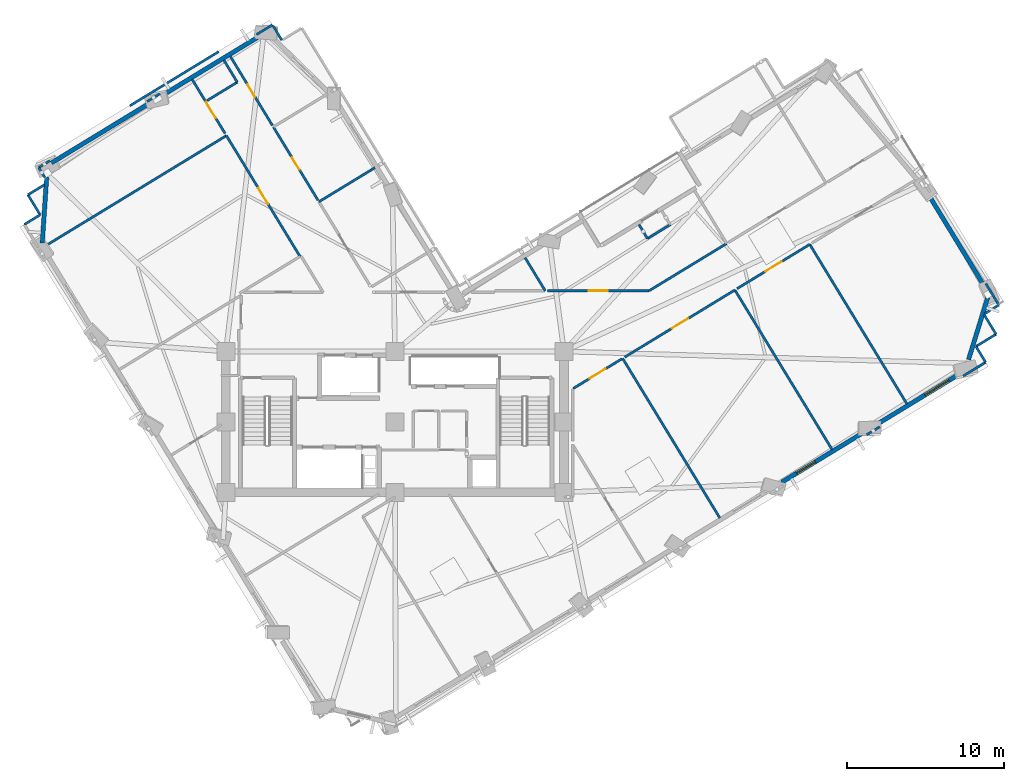
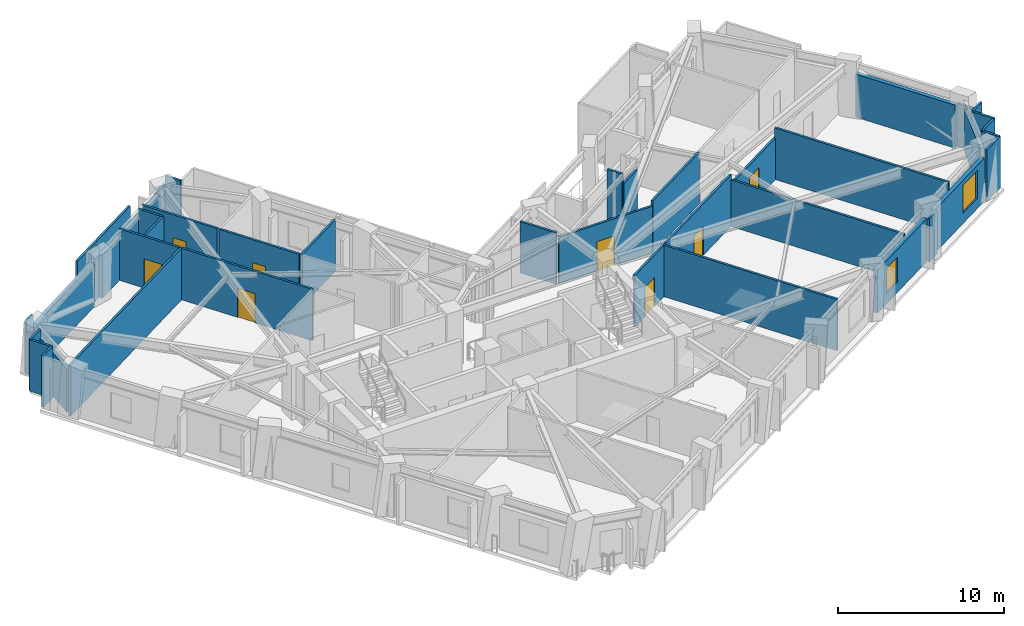
# One storey, part 7 of 14: 42 walls, 8 doors, 2 windows, 10 openings.
"""IFC4 building model written with IfcOpenShell, lengths in metres."""

import ifcopenshell
import ifcopenshell.guid

model = None  # the IFC model being written
_history = None  # IfcOwnerHistory: only IFC2X3 demands one
_inside = {}  # id of a spatial element -> (the spatial element, [elements in it])
_under = {}  # id of a project, library or spatial element -> (it, [spatial elements below it])
_declared = {}  # id of a project -> (the project, [libraries it declares])
_typed = {}  # id of a type object -> (the type object, [elements of that type])
_made_of = {}  # id of a material, layer set ... -> (it, [elements and type objects made of it])


def new_model(schema):
    """Start an empty IFC model of exactly this schema.

    Asked for "IFC4X3", IfcOpenShell would pick the latest addendum, in which some entities
    have other attributes; the version numbers below select the first issue.
    IFC2X3 requires an IfcOwnerHistory on every rooted entity: one is made here for all.
    """
    global model, _history
    if schema == "IFC4X3":
        model = ifcopenshell.file(schema_version=(4, 3, 0, 0))
    else:
        model = ifcopenshell.file(schema=schema)
    _inside.clear()
    _under.clear()
    _declared.clear()
    _typed.clear()
    _made_of.clear()
    _history = None
    if model.schema == "IFC2X3":
        org = make("IfcOrganization", Name="unknown")
        user = make(
            "IfcPersonAndOrganization",
            ThePerson=make("IfcPerson", FamilyName="unknown"),
            TheOrganization=org,
        )
        app = make(
            "IfcApplication",
            ApplicationDeveloper=org,
            Version="unknown",
            ApplicationFullName="unknown",
            ApplicationIdentifier="unknown",
        )
        _history = make(
            "IfcOwnerHistory",
            OwningUser=user,
            OwningApplication=app,
            ChangeAction="ADDED",
            CreationDate=0,
        )
    return model


def make(cls, **values):
    """One entity of the class cls with the attributes given. An attribute that is None is left unset."""
    return model.create_entity(
        cls, **{name: value for name, value in values.items() if value is not None}
    )


def rooted(cls, **values):
    """An entity with a GlobalId (a new one), such as an element, a storey or a relation."""
    return make(cls, GlobalId=ifcopenshell.guid.new(), OwnerHistory=_history, **values)


def si_unit(unit_type, name, prefix=None):
    """IfcSIUnit, for example si_unit("LENGTHUNIT", "METRE", prefix="MILLI")."""
    return make("IfcSIUnit", UnitType=unit_type, Prefix=prefix, Name=name)


def assignment(units):
    """IfcUnitAssignment: the units of a project."""
    return None if units is None else make("IfcUnitAssignment", Units=units)


def point(xyz):
    """IfcCartesianPoint."""
    return None if xyz is None else make("IfcCartesianPoint", Coordinates=xyz)


def direction(xyz):
    """IfcDirection."""
    return None if xyz is None else make("IfcDirection", DirectionRatios=xyz)


def frame(location, z_axis=None, x_axis=None):
    """IfcAxis2Placement3D, a coordinate frame: its origin and axes. An axis left out is left unset."""
    return make(
        "IfcAxis2Placement3D",
        Location=point(location),
        Axis=direction(z_axis),
        RefDirection=direction(x_axis),
    )


def frame_2d(location, x_axis=None):
    """IfcAxis2Placement2D, a coordinate frame in the plane: its origin and x axis."""
    return make(
        "IfcAxis2Placement2D", Location=point(location), RefDirection=direction(x_axis)
    )


def origin():
    """The frame at (0, 0, 0) with its axes left unset."""
    return frame((0.0, 0.0, 0.0))


def place(relative_to, where):
    """IfcLocalPlacement: puts the frame where relative to a parent placement (None: the world)."""
    return make(
        "IfcLocalPlacement", PlacementRelTo=relative_to, RelativePlacement=where
    )


def context(
    kind, dimensions, precision=None, world=None, true_north=None, identifier=None
):
    """IfcGeometricRepresentationContext, for example the 3D "Model" context."""
    return make(
        "IfcGeometricRepresentationContext",
        ContextIdentifier=identifier,
        ContextType=kind,
        CoordinateSpaceDimension=dimensions,
        Precision=precision,
        WorldCoordinateSystem=world,
        TrueNorth=true_north,
    )


def subcontext(parent, identifier, kind, view, scale=None):
    """IfcGeometricRepresentationSubContext, for example "Body" below "Model"."""
    return make(
        "IfcGeometricRepresentationSubContext",
        ContextIdentifier=identifier,
        ContextType=kind,
        ParentContext=parent,
        TargetScale=scale,
        TargetView=view,
    )


def project(units=None, contexts=None):
    """IfcProject with its units and contexts."""
    return rooted(
        "IfcProject",
        Name="project",
        RepresentationContexts=contexts,
        UnitsInContext=assignment(units),
    )


def spatial(cls, under=None, at=None, **own):
    """A site, building, storey or space (cls), placed at a placement, below another one or the project."""
    s = rooted(cls, ObjectPlacement=at, **own)
    if under is not None:
        _under.setdefault(under.id(), (under, []))[1].append(s)
    return s


def profile(cls, at=None, kind="AREA", **sizes):
    """A parametric profile (cls). Its sizes go by their IFC names, for example OverallWidth=200.0."""
    return make(cls, ProfileType=kind, Position=at, **sizes)


def rectangle(**sizes):
    """IfcRectangleProfileDef."""
    return profile("IfcRectangleProfileDef", **sizes)


def extrude(swept, where, along, depth):
    """IfcExtrudedAreaSolid: the profile swept, set in the frame where, extruded along a direction by depth."""
    return make(
        "IfcExtrudedAreaSolid",
        SweptArea=swept,
        Position=where,
        ExtrudedDirection=direction(along),
        Depth=depth,
    )


def shape(context_of_items, identifier, shape_type, items):
    """IfcShapeRepresentation: the items that make up one representation, for example the "Body"."""
    return make(
        "IfcShapeRepresentation",
        ContextOfItems=context_of_items,
        RepresentationIdentifier=identifier,
        RepresentationType=shape_type,
        Items=items,
    )


def material(Name=None, Category=None):
    """IfcMaterial."""
    return make("IfcMaterial", Name=Name, Category=Category)


def layer(
    of_material, thickness, ventilated=None, Name=None, Category=None, Priority=None
):
    """IfcMaterialLayer: one layer of a wall or slab, of a material (None: an air gap)."""
    return make(
        "IfcMaterialLayer",
        Material=of_material,
        LayerThickness=thickness,
        IsVentilated=ventilated,
        Name=Name,
        Category=Category,
        Priority=Priority,
    )


def layer_set(layers, Name=None):
    """IfcMaterialLayerSet."""
    return make("IfcMaterialLayerSet", MaterialLayers=layers, LayerSetName=Name)


def made_of(thing, what):
    """Note that an element or type object is made of a material, layer set ...; save() writes the relation."""
    if what is not None:
        _made_of.setdefault(what.id(), (what, []))[1].append(thing)
    return thing


def type_object(cls, material=None, **own):
    """A type object (cls), such as IfcWallType, which elements share."""
    return made_of(rooted(cls, **own), material)


def element(
    cls,
    number,
    at=None,
    inside=None,
    cuts=None,
    type_object=None,
    material=None,
    context=None,
    identifier="Body",
    shape_type=None,
    held_by="IfcProductDefinitionShape",
    body=None,
    shapes=None,
    **own,
):
    """One element of the class cls, such as IfcWall. Its Tag is "e" and its number.

    at: its placement. inside: the storey or other place that contains it. cuts: it is an
    opening in that element (IfcRelVoidsElement). A single representation is given by context,
    identifier, shape_type and body (its items); several are given by shapes. held_by: the class
    of the entity that holds the representations. save() writes the other relations.
    """
    e = rooted(cls, Tag="e%d" % number, ObjectPlacement=at, **own)
    if body is not None:
        shapes = [shape(context, identifier, shape_type, body)]
    if shapes is not None:
        e.Representation = make(held_by, Representations=shapes)
    if inside is not None:
        _inside.setdefault(inside.id(), (inside, []))[1].append(e)
    if cuts is not None:
        rooted(
            "IfcRelVoidsElement", RelatingBuildingElement=cuts, RelatedOpeningElement=e
        )
    if type_object is not None:
        _typed.setdefault(type_object.id(), (type_object, []))[1].append(e)
    return made_of(e, material)


def fill(opening, filler):
    """IfcRelFillsElement: the door or window that sits in an opening."""
    return rooted(
        "IfcRelFillsElement",
        RelatingOpeningElement=opening,
        RelatedBuildingElement=filler,
    )


def aggregate(whole, parts):
    """IfcRelAggregates: a whole, such as a stair, and the parts it consists of."""
    return rooted("IfcRelAggregates", RelatingObject=whole, RelatedObjects=parts)


def save(model, path):
    """Write the relations noted so far, then the file.

    IfcRelAggregates (storeys below a building ...), IfcRelContainedInSpatialStructure (elements
    in a storey), IfcRelDefinesByType, IfcRelAssociatesMaterial and IfcRelDeclares: one each for
    every whole, place, type object, material and project.
    """
    for whole, parts in _under.values():
        aggregate(whole, parts)
    for where, things in _inside.values():
        rooted(
            "IfcRelContainedInSpatialStructure",
            RelatedElements=things,
            RelatingStructure=where,
        )
    for kind, things in _typed.values():
        rooted("IfcRelDefinesByType", RelatedObjects=things, RelatingType=kind)
    for what, things in _made_of.values():
        rooted("IfcRelAssociatesMaterial", RelatedObjects=things, RelatingMaterial=what)
    for by, libraries in _declared.values():
        rooted("IfcRelDeclares", RelatingContext=by, RelatedDefinitions=libraries)
    model.write(path)


model = new_model("IFC4")

# Units and contexts
model_context = context("Model", 3, precision=1e-05, world=origin(), true_north=direction((0.0, 1.0)))
body_context = subcontext(model_context, "Body", "Model", "MODEL_VIEW")
ifc_project = project(units=[si_unit("LENGTHUNIT", "METRE"), si_unit("AREAUNIT", "SQUARE_METRE"), si_unit("VOLUMEUNIT", "CUBIC_METRE"), si_unit("PLANEANGLEUNIT", "RADIAN"), si_unit("MASSUNIT", "GRAM", prefix="KILO")], contexts=[model_context])

# Site, building, storey
site_placement = place(None, origin())
site = spatial("IfcSite", under=ifc_project, at=site_placement, CompositionType="ELEMENT")
building_placement = place(site_placement, origin())
building = spatial("IfcBuilding", under=site, at=building_placement, Name="Gaonmaruhae Medical Tower", CompositionType="ELEMENT")
storey_placement = place(building_placement, frame((0.0, 0.0, 157.800048828125)))
storey = spatial("IfcBuildingStorey", under=building, at=storey_placement, Name="L37", CompositionType="ELEMENT", Elevation=157.800048828125)

# Wall, opening, window
ifc_material_1 = material(Name="Precast concrete C45/55", Category="concrete")
ifc_layer_1 = layer(ifc_material_1, 0.280029296875)
ifc_layer_set_1 = layer_set([ifc_layer_1], Name="Precast concrete C45/55")
wall_type_1 = type_object("IfcWallType", Name="EW-280 Upper Precast Masonry-Frame Facade Wall", PredefinedType="SOLIDWALL", material=ifc_layer_set_1)
wall_1_placement = place(storey_placement, frame((54.82373046875, 11.67578125, 0.0), z_axis=(0.0, 0.0, 1.0), x_axis=(-0.854030198101, -0.52022343347, 0.0)))
wall_1 = element("IfcWall", 1, at=wall_1_placement, inside=storey, type_object=wall_type_1, Name="L37 Precast Masonry-Frame Wall S05-S06", PredefinedType="SOLIDWALL", context=body_context, shape_type="SweptSolid", body=[
    extrude(rectangle(XDim=6.21826171875, YDim=0.280029296875, at=frame_2d((3.109130859375, 0.0))), origin(), (0.0, 0.0, 1.0), 3.1650390625),
])
opening_1_placement = place(wall_1_placement, frame((3.704833984375, 0.0, 0.75)))
opening_1 = element("IfcOpeningElement", 2, at=opening_1_placement, cuts=wall_1, Name="Opening WN-03", PredefinedType="OPENING", context=body_context, shape_type="SweptSolid", body=[
    extrude(rectangle(XDim=1.39990234375, YDim=1.85009765625, at=frame_2d((0.699951171875, 0.925048828125))), frame((0.0, 0.14990234375, 0.0), z_axis=(0.0, -1.0, 0.0), x_axis=(1.0, 0.0, 0.0)), (0.0, 0.0, 1.0), 0.300048828125),
])
ifc_material_2 = material(Name="Anodised aluminium and Low-E double glazing", Category="aluminium")
window_type_1 = type_object("IfcWindowType", Name="WN-03 Isolation Ward Punched Window 1400x1850", PartitioningType="SINGLE_PANEL", PredefinedType="WINDOW", material=ifc_material_2)
window_1_placement = place(opening_1_placement, origin())
window_1 = element("IfcWindow", 3, at=window_1_placement, inside=storey, type_object=window_type_1, Name="L37 Modular Facade Window S05", OverallHeight=1.85009765625, OverallWidth=1.39990234375, PartitioningType="SINGLE_PANEL", PredefinedType="WINDOW", context=body_context, shape_type="SweptSolid", body=[
    extrude(rectangle(XDim=1.39990234375, YDim=1.85009765625, at=frame_2d((0.699951171875, 0.925048828125))), frame((0.0, 0.030029296875, 0.0), z_axis=(0.0, -1.0, 0.0), x_axis=(1.0, 0.0, 0.0)), (0.0, 0.0, 1.0), 0.06005859375),
])
fill(opening_1, window_1)

wall_2_placement = place(storey_placement, frame((60.985595703125, 15.4296875, 0.0), z_axis=(0.0, 0.0, 1.0), x_axis=(-0.854005149622, -0.520264552337, 0.0)))
wall_2 = element("IfcWall", 4, at=wall_2_placement, inside=storey, type_object=wall_type_1, Name="L37 Precast Masonry-Frame Wall S06-S07", PredefinedType="SOLIDWALL", context=body_context, shape_type="SweptSolid", body=[
    extrude(rectangle(XDim=6.2421875, YDim=0.280029296875, at=frame_2d((3.12109375, 0.0))), origin(), (0.0, 0.0, 1.0), 3.1650390625),
])
opening_2_placement = place(wall_2_placement, frame((0.920166015625, 0.0, 0.75)))
opening_2 = element("IfcOpeningElement", 5, at=opening_2_placement, cuts=wall_2, Name="Opening WN-04", PredefinedType="OPENING", context=body_context, shape_type="SweptSolid", body=[
    extrude(rectangle(XDim=1.800048828125, YDim=2.050048828125, at=frame_2d((0.89990234375, 1.02490234375))), frame((0.0, 0.14990234375, 0.0), z_axis=(0.0, -1.0, 0.0), x_axis=(1.0, 0.0, 0.0)), (0.0, 0.0, 1.0), 0.300048828125),
])
window_type_2 = type_object("IfcWindowType", Name="WN-04 Clinic & Consult Punched Window 1800x2050", PartitioningType="SINGLE_PANEL", PredefinedType="WINDOW", material=ifc_material_2)
window_2_placement = place(opening_2_placement, origin())
window_2 = element("IfcWindow", 6, at=window_2_placement, inside=storey, type_object=window_type_2, Name="L37 Modular Facade Window S06", OverallHeight=2.050048828125, OverallWidth=1.800048828125, PartitioningType="SINGLE_PANEL", PredefinedType="WINDOW", context=body_context, shape_type="SweptSolid", body=[
    extrude(rectangle(XDim=1.800048828125, YDim=2.050048828125, at=frame_2d((0.89990234375, 1.02490234375))), frame((0.0, 0.030029296875, 0.0), z_axis=(0.0, -1.0, 0.0), x_axis=(1.0, 0.0, 0.0)), (0.0, 0.0, 1.0), 0.06005859375),
])
fill(opening_2, window_2)

# Walls
wall_3_placement = place(storey_placement, frame((62.67529296875, 20.243896484375, 0.0), z_axis=(0.0, 0.0, 1.0), x_axis=(-0.295765624061, -0.955260538086, 0.0)))
element("IfcWall", 7, at=wall_3_placement, inside=storey, type_object=wall_type_1, Name="L37 Precast Masonry-Frame Wall S07-E01", PredefinedType="SOLIDWALL", context=body_context, shape_type="SweptSolid", body=[
    extrude(rectangle(XDim=4.1455078125, YDim=0.280029296875, at=frame_2d((2.07275390625, 0.0))), origin(), (0.0, 0.0, 1.0), 3.1650390625),
])
wall_4_placement = place(storey_placement, frame((58.847900390625, 26.8916015625, 0.0), z_axis=(0.0, 0.0, 1.0), x_axis=(0.520252637588, -0.854012408038, 0.0)))
element("IfcWall", 8, at=wall_4_placement, inside=storey, type_object=wall_type_1, Name="L37 Precast Masonry-Frame Wall E01-E02", PredefinedType="SOLIDWALL", context=body_context, shape_type="SweptSolid", body=[
    extrude(rectangle(XDim=6.840087890625, YDim=0.280029296875, at=frame_2d((3.419921875, 0.0))), origin(), (0.0, 0.0, 1.0), 3.1650390625),
])
wall_5_placement = place(storey_placement, frame((9.8740234375, 33.12109375, 0.0), z_axis=(0.0, 0.0, 1.0), x_axis=(0.854014635071, 0.52024898182, 0.0)))
element("IfcWall", 9, at=wall_5_placement, inside=storey, type_object=wall_type_1, Name="L37 Precast Masonry-Frame Wall N01-N02", PredefinedType="SOLIDWALL", context=body_context, shape_type="SweptSolid", body=[
    extrude(rectangle(XDim=7.230712890625, YDim=0.280029296875, at=frame_2d((3.615234375, 0.0))), origin(), (0.0, 0.0, 1.0), 3.1650390625),
])
wall_6_placement = place(storey_placement, frame((2.8505859375, 28.84228515625, 0.0), z_axis=(0.0, 0.0, 1.0), x_axis=(0.854006543664, 0.520262264036, 0.0)))
element("IfcWall", 10, at=wall_6_placement, inside=storey, type_object=wall_type_1, Name="L37 Precast Masonry-Frame Wall N02-N03", PredefinedType="SOLIDWALL", context=body_context, shape_type="SweptSolid", body=[
    extrude(rectangle(XDim=7.269775390625, YDim=0.280029296875, at=frame_2d((3.634765625, 0.0))), origin(), (0.0, 0.0, 1.0), 3.1650390625),
])
wall_7_placement = place(storey_placement, frame((2.265380859375, 23.736083984375, 0.0), z_axis=(0.0, 0.0, 1.0), x_axis=(0.067492637581, 0.997719772217, 0.0)))
element("IfcWall", 11, at=wall_7_placement, inside=storey, type_object=wall_type_1, Name="L37 Precast Masonry-Frame Wall N03-W01", PredefinedType="SOLIDWALL", context=body_context, shape_type="SweptSolid", body=[
    extrude(rectangle(XDim=4.21044921875, YDim=0.280029296875, at=frame_2d((2.105224609375, 0.0))), origin(), (0.0, 0.0, 1.0), 3.1650390625),
])
ifc_material_3 = material(Name="Gypsum board partition", Category="gypsum")
ifc_layer_2 = layer(ifc_material_3, 0.14990234375)
ifc_layer_set_2 = layer_set([ifc_layer_2], Name="Gypsum board partition")
wall_type_2 = type_object("IfcWallType", Name="PW-150 Rated Clinical Corridor Partition", PredefinedType="PARTITIONING", material=ifc_layer_set_2)
wall_8_placement = place(storey_placement, frame((39.346923828125, 16.35693359375, 0.0), z_axis=(0.0, 0.0, 1.0), x_axis=(0.520229856241, -0.854026285705, 0.0)))
element("IfcWall", 12, at=wall_8_placement, inside=storey, type_object=wall_type_2, Name="L37 Interior Partition L37-SUP04-16", PredefinedType="PARTITIONING", context=body_context, shape_type="SweptSolid", body=[
    extrude(rectangle(XDim=11.93505859375, YDim=0.14990234375, at=frame_2d((5.967529296875, 0.0))), origin(), (0.0, 0.0, 1.0), 3.780029296875),
])

# Wall, opening, door
wall_9_placement = place(storey_placement, frame((36.193115234375, 14.43603515625, 0.0), z_axis=(0.0, 0.0, 1.0), x_axis=(0.854019897794, 0.520240342699, 0.0)))
wall_9 = element("IfcWall", 13, at=wall_9_placement, inside=storey, type_object=wall_type_2, Name="L37 Interior Partition L37-SUP04-19", PredefinedType="PARTITIONING", context=body_context, shape_type="SweptSolid", body=[
    extrude(rectangle(XDim=3.642578125, YDim=0.14990234375, at=frame_2d((1.8212890625, 0.0))), origin(), (0.0, 0.0, 1.0), 3.780029296875),
])
opening_3_placement = place(wall_9_placement, frame((1.221435546875, 0.0, 0.0)))
opening_3 = element("IfcOpeningElement", 14, at=opening_3_placement, cuts=wall_9, Name="Opening CD-02", PredefinedType="OPENING", context=body_context, shape_type="SweptSolid", body=[
    extrude(rectangle(XDim=1.199951171875, YDim=2.14990234375, at=frame_2d((0.60009765625, 1.074951171875))), frame((0.0, 0.0849609375, 0.0), z_axis=(0.0, -1.0, 0.0), x_axis=(1.0, 0.0, 0.0)), (0.0, 0.0, 1.0), 0.169921875),
])
ifc_material_4 = material(Name="Antimicrobial laminate timber fire door", Category="wood")
door_type_1 = type_object("IfcDoorType", Name="CD-02 Clinical Treatment & Procedure Door 1200x2150", OperationType="NOTDEFINED", PredefinedType="DOOR", material=ifc_material_4)
door_1_placement = place(opening_3_placement, origin())
door_1 = element("IfcDoor", 15, at=door_1_placement, inside=storey, type_object=door_type_1, Name="L37 Clinical Biomedical Charting Office Door", OperationType="SINGLE_SWING_LEFT", OverallHeight=2.14990234375, OverallWidth=1.199951171875, PredefinedType="DOOR", context=body_context, shape_type="SweptSolid", body=[
    extrude(rectangle(XDim=1.199951171875, YDim=2.14990234375, at=frame_2d((0.60009765625, 1.074951171875))), frame((0.0, 0.02490234375, 0.0), z_axis=(0.0, -1.0, 0.0), x_axis=(1.0, 0.0, 0.0)), (0.0, 0.0, 1.0), 0.050048828125),
])
fill(opening_3, door_1)

wall_10_placement = place(storey_placement, frame((39.48291015625, 16.43994140625, 0.0), z_axis=(0.0, 0.0, 1.0), x_axis=(0.854001681797, 0.520270244669, 0.0)))
wall_10 = element("IfcWall", 16, at=wall_10_placement, inside=storey, type_object=wall_type_2, Name="L37 Interior Partition L37-SUP05-20", PredefinedType="PARTITIONING", context=body_context, shape_type="SweptSolid", body=[
    extrude(rectangle(XDim=8.240234375, YDim=0.14990234375, at=frame_2d((4.1201171875, 0.0))), origin(), (0.0, 0.0, 1.0), 3.780029296875),
])
opening_4_placement = place(wall_10_placement, frame((3.52001953125, 0.0, 0.0)))
opening_4 = element("IfcOpeningElement", 17, at=opening_4_placement, cuts=wall_10, Name="Opening CD-02", PredefinedType="OPENING", context=body_context, shape_type="SweptSolid", body=[
    extrude(rectangle(XDim=1.199951171875, YDim=2.14990234375, at=frame_2d((0.60009765625, 1.074951171875))), frame((0.0, 0.0849609375, 0.0), z_axis=(0.0, -1.0, 0.0), x_axis=(1.0, 0.0, 0.0)), (0.0, 0.0, 1.0), 0.169921875),
])
door_2_placement = place(opening_4_placement, origin())
door_2 = element("IfcDoor", 18, at=door_2_placement, inside=storey, type_object=door_type_1, Name="L37 Clinical Biomedical Charting Office Door", OperationType="SINGLE_SWING_RIGHT", OverallHeight=2.14990234375, OverallWidth=1.199951171875, PredefinedType="DOOR", context=body_context, shape_type="SweptSolid", body=[
    extrude(rectangle(XDim=1.199951171875, YDim=2.14990234375, at=frame_2d((0.60009765625, 1.074951171875))), frame((0.0, 0.02490234375, 0.0), z_axis=(0.0, -1.0, 0.0), x_axis=(1.0, 0.0, 0.0)), (0.0, 0.0, 1.0), 0.050048828125),
])
fill(opening_4, door_2)

# Wall
wall_11_placement = place(storey_placement, frame((46.52001953125, 20.72705078125, 0.0), z_axis=(0.0, 0.0, 1.0), x_axis=(0.520257122218, -0.854009676047, 0.0)))
element("IfcWall", 19, at=wall_11_placement, inside=storey, type_object=wall_type_2, Name="L37 Interior Partition L37-SUP05-21", PredefinedType="PARTITIONING", context=body_context, shape_type="SweptSolid", body=[
    extrude(rectangle(XDim=11.9345703125, YDim=0.14990234375, at=frame_2d((5.96728515625, 0.0))), origin(), (0.0, 0.0, 1.0), 3.4150390625),
])

# Wall, opening, door
wall_12_placement = place(storey_placement, frame((46.656982421875, 20.81103515625, 0.0), z_axis=(0.0, 0.0, 1.0), x_axis=(0.85402865448, 0.520225967563, 0.0)))
wall_12 = element("IfcWall", 20, at=wall_12_placement, inside=storey, type_object=wall_type_2, Name="L37 Interior Partition L37-SUP06-23", PredefinedType="PARTITIONING", context=body_context, shape_type="SweptSolid", body=[
    extrude(rectangle(XDim=5.440185546875, YDim=0.14990234375, at=frame_2d((2.72021484375, 0.0))), origin(), (0.0, 0.0, 1.0), 3.06494140625),
])
opening_5_placement = place(wall_12_placement, frame((2.1201171875, 0.0, 0.0)))
opening_5 = element("IfcOpeningElement", 21, at=opening_5_placement, cuts=wall_12, Name="Opening CD-02", PredefinedType="OPENING", context=body_context, shape_type="SweptSolid", body=[
    extrude(rectangle(XDim=1.199951171875, YDim=2.14990234375, at=frame_2d((0.60009765625, 1.074951171875))), frame((0.0, 0.0849609375, 0.0), z_axis=(0.0, -1.0, 0.0), x_axis=(1.0, 0.0, 0.0)), (0.0, 0.0, 1.0), 0.169921875),
])
door_3_placement = place(opening_5_placement, origin())
door_3 = element("IfcDoor", 22, at=door_3_placement, inside=storey, type_object=door_type_1, Name="L37 Clinical Biomedical Charting Office Door", OperationType="SINGLE_SWING_RIGHT", OverallHeight=2.14990234375, OverallWidth=1.199951171875, PredefinedType="DOOR", context=body_context, shape_type="SweptSolid", body=[
    extrude(rectangle(XDim=1.199951171875, YDim=2.14990234375, at=frame_2d((0.60009765625, 1.074951171875))), frame((0.0, 0.02490234375, 0.0), z_axis=(0.0, -1.0, 0.0), x_axis=(1.0, 0.0, 0.0)), (0.0, 0.0, 1.0), 0.050048828125),
])
fill(opening_5, door_3)

# Walls
wall_13_placement = place(storey_placement, frame((51.302978515625, 23.64111328125, 0.0), z_axis=(0.0, 0.0, 1.0), x_axis=(0.520220768099, -0.854031821678, 0.0)))
element("IfcWall", 23, at=wall_13_placement, inside=storey, type_object=wall_type_2, Name="L37 Interior Partition L37-SUP06-24", PredefinedType="PARTITIONING", context=body_context, shape_type="SweptSolid", body=[
    extrude(rectangle(XDim=11.935302734375, YDim=0.14990234375, at=frame_2d((5.9677734375, 0.0))), origin(), (0.0, 0.0, 1.0), 3.780029296875),
])
wall_14_placement = place(storey_placement, frame((55.77392578125, 11.986083984375, 0.0), z_axis=(0.0, 0.0, 1.0), x_axis=(-0.853573113666, -0.520973069963, 0.0)))
element("IfcWall", 24, at=wall_14_placement, inside=storey, type_object=wall_type_2, Name="L37 Interior Partition L37-SUP06-25", PredefinedType="PARTITIONING", context=body_context, shape_type="SweptSolid", body=[
    extrude(rectangle(XDim=0.973388671875, YDim=0.14990234375, at=frame_2d((0.48681640625, 0.0))), origin(), (0.0, 0.0, 1.0), 3.1650390625),
])
wall_15_placement = place(storey_placement, frame((63.214111328125, 17.89892578125, 0.0), z_axis=(0.0, 0.0, 1.0), x_axis=(-0.854113673414, -0.520086370604, 0.0)))
element("IfcWall", 25, at=wall_15_placement, inside=storey, type_object=wall_type_2, Name="L37 Interior Partition L37-SUP07-26", PredefinedType="PARTITIONING", context=body_context, shape_type="SweptSolid", body=[
    extrude(rectangle(XDim=1.499755859375, YDim=0.14990234375, at=frame_2d((0.75, 0.0))), origin(), (0.0, 0.0, 1.0), 3.780029296875),
])
wall_16_placement = place(storey_placement, frame((61.93310546875, 17.118896484375, 0.0), z_axis=(0.0, 0.0, 1.0), x_axis=(0.519539763947, -0.854446273137, 0.0)))
element("IfcWall", 26, at=wall_16_placement, inside=storey, type_object=wall_type_2, Name="L37 Interior Partition L37-SUP07-27", PredefinedType="PARTITIONING", context=body_context, shape_type="SweptSolid", body=[
    extrude(rectangle(XDim=1.179443359375, YDim=0.14990234375, at=frame_2d((0.58984375, 0.0))), origin(), (0.0, 0.0, 1.0), 3.780029296875),
])
wall_17_placement = place(storey_placement, frame((62.5458984375, 16.111083984375, 0.0), z_axis=(0.0, 0.0, 1.0), x_axis=(-0.853910658125, -0.520419626783, 0.0)))
element("IfcWall", 27, at=wall_17_placement, inside=storey, type_object=wall_type_2, Name="L37 Interior Partition L37-SUP07-28", PredefinedType="PARTITIONING", context=body_context, shape_type="SweptSolid", body=[
    extrude(rectangle(XDim=1.6875, YDim=0.14990234375, at=frame_2d((0.84375, 0.0))), origin(), (0.0, 0.0, 1.0), 3.780029296875),
])
wall_18_placement = place(storey_placement, frame((62.552001953125, 21.138916015625, 0.0), z_axis=(0.0, 0.0, 1.0), x_axis=(0.520100782276, -0.8541048977, 0.0)))
element("IfcWall", 28, at=wall_18_placement, inside=storey, type_object=wall_type_2, Name="L37 Interior Partition L37-SUP07-31", PredefinedType="PARTITIONING", context=body_context, shape_type="SweptSolid", body=[
    extrude(rectangle(XDim=1.611083984375, YDim=0.14990234375, at=frame_2d((0.8056640625, 0.0))), origin(), (0.0, 0.0, 1.0), 3.1650390625),
])
wall_19_placement = place(storey_placement, frame((63.389892578125, 19.762939453125, 0.0), z_axis=(0.0, 0.0, 1.0), x_axis=(-0.854018246521, -0.520243053399, 0.0)))
element("IfcWall", 29, at=wall_19_placement, inside=storey, type_object=wall_type_2, Name="L37 Interior Partition L37-SUP07-32", PredefinedType="PARTITIONING", context=body_context, shape_type="SweptSolid", body=[
    extrude(rectangle(XDim=1.072265625, YDim=0.14990234375, at=frame_2d((0.5361328125, 0.0))), origin(), (0.0, 0.0, 1.0), 3.780029296875),
])
wall_20_placement = place(storey_placement, frame((62.455078125, 19.14404296875, 0.0), z_axis=(0.0, 0.0, 1.0), x_axis=(0.520515143071, -0.853852437974, 0.0)))
element("IfcWall", 30, at=wall_20_placement, inside=storey, type_object=wall_type_2, Name="L37 Interior Partition L37-SUP07-33", PredefinedType="PARTITIONING", context=body_context, shape_type="SweptSolid", body=[
    extrude(rectangle(XDim=1.458251953125, YDim=0.14990234375, at=frame_2d((0.72900390625, 0.0))), origin(), (0.0, 0.0, 1.0), 3.780029296875),
])
wall_21_placement = place(storey_placement, frame((2.092041015625, 23.31591796875, 0.0), z_axis=(0.0, 0.0, 1.0), x_axis=(0.854007963695, 0.520259933059, 0.0)))
element("IfcWall", 31, at=wall_21_placement, inside=storey, type_object=wall_type_2, Name="L37 Interior Partition L37-WOF10-43", PredefinedType="PARTITIONING", context=body_context, shape_type="SweptSolid", body=[
    extrude(rectangle(XDim=13.97998046875, YDim=0.14990234375, at=frame_2d((6.989990234375, 0.0))), origin(), (0.0, 0.0, 1.0), 3.780029296875),
])

# Wall, opening, door
wall_22_placement = place(storey_placement, frame((14.031005859375, 30.589111328125, 0.0), z_axis=(0.0, 0.0, 1.0), x_axis=(0.520239078164, -0.854020668105, 0.0)))
wall_22 = element("IfcWall", 32, at=wall_22_placement, inside=storey, type_object=wall_type_2, Name="L37 Interior Partition L37-WOF10-44", PredefinedType="PARTITIONING", context=body_context, shape_type="SweptSolid", body=[
    extrude(rectangle(XDim=9.039794921875, YDim=0.14990234375, at=frame_2d((4.52001953125, 0.0))), origin(), (0.0, 0.0, 1.0), 3.780029296875),
])
opening_6_placement = place(wall_22_placement, frame((3.919921875, 0.0, 0.0)))
opening_6 = element("IfcOpeningElement", 33, at=opening_6_placement, cuts=wall_22, Name="Opening CD-02", PredefinedType="OPENING", context=body_context, shape_type="SweptSolid", body=[
    extrude(rectangle(XDim=1.199951171875, YDim=2.14990234375, at=frame_2d((0.60009765625, 1.074951171875))), frame((0.0, 0.0849609375, 0.0), z_axis=(0.0, -1.0, 0.0), x_axis=(1.0, 0.0, 0.0)), (0.0, 0.0, 1.0), 0.169921875),
])
door_4_placement = place(opening_6_placement, origin())
door_4 = element("IfcDoor", 34, at=door_4_placement, inside=storey, type_object=door_type_1, Name="L37 Ward Physician Reporting Office Door", OperationType="SINGLE_SWING_LEFT", OverallHeight=2.14990234375, OverallWidth=1.199951171875, PredefinedType="DOOR", context=body_context, shape_type="SweptSolid", body=[
    extrude(rectangle(XDim=1.199951171875, YDim=2.14990234375, at=frame_2d((0.60009765625, 1.074951171875))), frame((0.0, 0.02490234375, 0.0), z_axis=(0.0, -1.0, 0.0), x_axis=(1.0, 0.0, 0.0)), (0.0, 0.0, 1.0), 0.050048828125),
])
fill(opening_6, door_4)

# Walls
wall_23_placement = place(storey_placement, frame((1.343994140625, 26.81201171875, 0.0), z_axis=(0.0, 0.0, 1.0), x_axis=(0.854206167436, 0.519934441554, 0.0)))
element("IfcWall", 35, at=wall_23_placement, inside=storey, type_object=wall_type_2, Name="L37 Interior Partition L37-WOF11-48", PredefinedType="PARTITIONING", context=body_context, shape_type="SweptSolid", body=[
    extrude(rectangle(XDim=1.23876953125, YDim=0.14990234375, at=frame_2d((0.619384765625, 0.0))), origin(), (0.0, 0.0, 1.0), 3.780029296875),
])
wall_24_placement = place(storey_placement, frame((2.431884765625, 27.907958984375, 0.0), z_axis=(0.0, 0.0, 1.0), x_axis=(-0.519606283124, 0.854405823095, 0.0)))
element("IfcWall", 36, at=wall_24_placement, inside=storey, type_object=wall_type_2, Name="L37 Interior Partition L37-WOF11-49", PredefinedType="PARTITIONING", context=body_context, shape_type="SweptSolid", body=[
    extrude(rectangle(XDim=0.750244140625, YDim=0.14990234375, at=frame_2d((0.375, 0.0))), origin(), (0.0, 0.0, 1.0), 3.06494140625),
])
wall_25_placement = place(storey_placement, frame((2.0419921875, 28.549072265625, 0.0), z_axis=(0.0, 0.0, 1.0), x_axis=(0.853818147022, 0.520571389741, 0.0)))
element("IfcWall", 37, at=wall_25_placement, inside=storey, type_object=wall_type_2, Name="L37 Interior Partition L37-WOF11-50", PredefinedType="PARTITIONING", context=body_context, shape_type="SweptSolid", body=[
    extrude(rectangle(XDim=0.84326171875, YDim=0.14990234375, at=frame_2d((0.421630859375, 0.0))), origin(), (0.0, 0.0, 1.0), 3.780029296875),
])
wall_26_placement = place(storey_placement, frame((8.970947265625, 32.77001953125, 0.0), z_axis=(0.0, 0.0, 1.0), x_axis=(0.854178789285, 0.519979418762, 0.0)))
element("IfcWall", 38, at=wall_26_placement, inside=storey, type_object=wall_type_2, Name="L37 Interior Partition L37-WOF11-51", PredefinedType="PARTITIONING", context=body_context, shape_type="SweptSolid", body=[
    extrude(rectangle(XDim=0.9541015625, YDim=0.14990234375, at=frame_2d((0.47705078125, 0.0))), origin(), (0.0, 0.0, 1.0), 3.780029296875),
])

# Wall, opening, door
wall_27_placement = place(storey_placement, frame((11.841064453125, 34.18505859375, 0.0), z_axis=(0.0, 0.0, 1.0), x_axis=(0.520210820935, -0.854037880765, 0.0)))
wall_27 = element("IfcWall", 39, at=wall_27_placement, inside=storey, type_object=wall_type_2, Name="L37 Interior Partition L37-WOF11-52", PredefinedType="PARTITIONING", context=body_context, shape_type="SweptSolid", body=[
    extrude(rectangle(XDim=4.050048828125, YDim=0.14990234375, at=frame_2d((2.02490234375, 0.0))), origin(), (0.0, 0.0, 1.0), 3.780029296875),
])
opening_7_placement = place(wall_27_placement, frame((1.699951171875, 0.0, 0.0)))
opening_7 = element("IfcOpeningElement", 40, at=opening_7_placement, cuts=wall_27, Name="Opening CD-02", PredefinedType="OPENING", context=body_context, shape_type="SweptSolid", body=[
    extrude(rectangle(XDim=1.199951171875, YDim=2.14990234375, at=frame_2d((0.60009765625, 1.074951171875))), frame((0.0, 0.0849609375, 0.0), z_axis=(0.0, -1.0, 0.0), x_axis=(1.0, 0.0, 0.0)), (0.0, 0.0, 1.0), 0.169921875),
])
door_5_placement = place(opening_7_placement, origin())
door_5 = element("IfcDoor", 41, at=door_5_placement, inside=storey, type_object=door_type_1, Name="L37 Ward Physician Reporting Office Door", OperationType="SINGLE_SWING_LEFT", OverallHeight=2.14990234375, OverallWidth=1.199951171875, PredefinedType="DOOR", context=body_context, shape_type="SweptSolid", body=[
    extrude(rectangle(XDim=1.199951171875, YDim=2.14990234375, at=frame_2d((0.60009765625, 1.074951171875))), frame((0.0, 0.02490234375, 0.0), z_axis=(0.0, -1.0, 0.0), x_axis=(1.0, 0.0, 0.0)), (0.0, 0.0, 1.0), 0.050048828125),
])
fill(opening_7, door_5)

# Walls
wall_28_placement = place(storey_placement, frame((1.116943359375, 24.9169921875, 0.0), z_axis=(0.0, 0.0, 1.0), x_axis=(0.853818614976, 0.520570622222, 0.0)))
element("IfcWall", 42, at=wall_28_placement, inside=storey, type_object=wall_type_2, Name="L37 Interior Partition L37-WOF11-54", PredefinedType="PARTITIONING", context=body_context, shape_type="SweptSolid", body=[
    extrude(rectangle(XDim=1.179443359375, YDim=0.14990234375, at=frame_2d((0.58984375, 0.0))), origin(), (0.0, 0.0, 1.0), 3.780029296875),
])
wall_29_placement = place(storey_placement, frame((2.1240234375, 25.531005859375, 0.0), z_axis=(0.0, 0.0, 1.0), x_axis=(-0.520086370604, 0.854113673414, 0.0)))
element("IfcWall", 43, at=wall_29_placement, inside=storey, type_object=wall_type_2, Name="L37 Interior Partition L37-WOF11-55", PredefinedType="PARTITIONING", context=body_context, shape_type="SweptSolid", body=[
    extrude(rectangle(XDim=1.499755859375, YDim=0.14990234375, at=frame_2d((0.75, 0.0))), origin(), (0.0, 0.0, 1.0), 3.780029296875),
])
wall_30_placement = place(storey_placement, frame((33.114990234375, 22.7890625, 0.0), z_axis=(0.0, 0.0, 1.0), x_axis=(0.520269924508, -0.854001876843, 0.0)))
element("IfcWall", 44, at=wall_30_placement, inside=storey, type_object=wall_type_2, Name="L37 Interior Partition L37-IE01-57", PredefinedType="PARTITIONING", context=body_context, shape_type="SweptSolid", body=[
    extrude(rectangle(XDim=2.4697265625, YDim=0.14990234375, at=frame_2d((1.23486328125, 0.0))), origin(), (0.0, 0.0, 1.0), 3.780029296875),
])
wall_31_placement = place(storey_placement, frame((40.387939453125, 24.9130859375, 0.0), z_axis=(0.0, 0.0, 1.0), x_axis=(0.520335902325, -0.853961678737, 0.0)))
element("IfcWall", 45, at=wall_31_placement, inside=storey, type_object=wall_type_2, Name="L37 Interior Partition L37-IE02-69", PredefinedType="PARTITIONING", context=body_context, shape_type="SweptSolid", body=[
    extrude(rectangle(XDim=1.05517578125, YDim=0.14990234375, at=frame_2d((0.527587890625, 0.0))), origin(), (0.0, 0.0, 1.0), 3.780029296875),
])
wall_32_placement = place(storey_placement, frame((40.93701171875, 24.011962890625, 0.0), z_axis=(0.0, 0.0, 1.0), x_axis=(0.853873996169, 0.520479777385, 0.0)))
element("IfcWall", 46, at=wall_32_placement, inside=storey, type_object=wall_type_2, Name="L37 Interior Partition L37-IE02-70", PredefinedType="PARTITIONING", context=body_context, shape_type="SweptSolid", body=[
    extrude(rectangle(XDim=1.700439453125, YDim=0.14990234375, at=frame_2d((0.85009765625, 0.0))), origin(), (0.0, 0.0, 1.0), 3.06494140625),
])
wall_33_placement = place(storey_placement, frame((45.998046875, 23.698974609375, 0.0), z_axis=(0.0, 0.0, 1.0), x_axis=(-0.854066940543, -0.520163110065, 0.0)))
element("IfcWall", 47, at=wall_33_placement, inside=storey, type_object=wall_type_2, Name="L37 Interior Partition L37-IE02-73", PredefinedType="PARTITIONING", context=body_context, shape_type="SweptSolid", body=[
    extrude(rectangle(XDim=5.803955078125, YDim=0.14990234375, at=frame_2d((2.90185546875, 0.0))), origin(), (0.0, 0.0, 1.0), 3.780029296875),
])

# Wall, opening, door
wall_34_placement = place(storey_placement, frame((41.041015625, 20.679931640625, 0.0), z_axis=(0.0, 0.0, 1.0), x_axis=(-1.0, 0.0, 0.0)))
wall_34 = element("IfcWall", 48, at=wall_34_placement, inside=storey, type_object=wall_type_2, Name="L37 Interior Partition L37-IE02-74", PredefinedType="PARTITIONING", context=body_context, shape_type="SweptSolid", body=[
    extrude(rectangle(XDim=6.5, YDim=0.14990234375, at=frame_2d((3.25, 0.0))), origin(), (0.0, 0.0, 1.0), 3.4150390625),
])
opening_8_placement = place(wall_34_placement, frame((2.64990234375, 0.0, 0.0)))
opening_8 = element("IfcOpeningElement", 49, at=opening_8_placement, cuts=wall_34, Name="Opening CD-02", PredefinedType="OPENING", context=body_context, shape_type="SweptSolid", body=[
    extrude(rectangle(XDim=1.199951171875, YDim=2.14990234375, at=frame_2d((0.60009765625, 1.074951171875))), frame((0.0, 0.0849609375, 0.0), z_axis=(0.0, -1.0, 0.0), x_axis=(1.0, 0.0, 0.0)), (0.0, 0.0, 1.0), 0.169921875),
])
door_6_placement = place(opening_8_placement, origin())
door_6 = element("IfcDoor", 50, at=door_6_placement, inside=storey, type_object=door_type_1, Name="L37 Acute Treatment Examination Room Door", OperationType="SINGLE_SWING_LEFT", OverallHeight=2.14990234375, OverallWidth=1.199951171875, PredefinedType="DOOR", context=body_context, shape_type="SweptSolid", body=[
    extrude(rectangle(XDim=1.199951171875, YDim=2.14990234375, at=frame_2d((0.60009765625, 1.074951171875))), frame((0.0, 0.02490234375, 0.0), z_axis=(0.0, -1.0, 0.0), x_axis=(1.0, 0.0, 0.0)), (0.0, 0.0, 1.0), 0.050048828125),
])
fill(opening_8, door_6)

# Wall
wall_35_placement = place(storey_placement, frame((19.943115234375, 26.363037109375, 0.0), z_axis=(0.0, 0.0, 1.0), x_axis=(0.854035162243, 0.520215283948, 0.0)))
element("IfcWall", 51, at=wall_35_placement, inside=storey, type_object=wall_type_2, Name="L37 Interior Partition L37-IN01-91", PredefinedType="PARTITIONING", context=body_context, shape_type="SweptSolid", body=[
    extrude(rectangle(XDim=4.184814453125, YDim=0.14990234375, at=frame_2d((2.09228515625, 0.0))), origin(), (0.0, 0.0, 1.0), 3.780029296875),
])

# Wall, opening, door
wall_36_placement = place(storey_placement, frame((19.881103515625, 26.465087890625, 0.0), z_axis=(0.0, 0.0, 1.0), x_axis=(-0.520269153485, 0.854002346561, 0.0)))
wall_36 = element("IfcWall", 52, at=wall_36_placement, inside=storey, type_object=wall_type_2, Name="L37 Interior Partition L37-IN02-94", PredefinedType="PARTITIONING", context=body_context, shape_type="SweptSolid", body=[
    extrude(rectangle(XDim=5.47998046875, YDim=0.14990234375, at=frame_2d((2.739990234375, 0.0))), origin(), (0.0, 0.0, 1.0), 3.780029296875),
])
opening_9_placement = place(wall_36_placement, frame((2.280029296875, 0.0, 0.0)))
opening_9 = element("IfcOpeningElement", 53, at=opening_9_placement, cuts=wall_36, Name="Opening UD-01", PredefinedType="OPENING", context=body_context, shape_type="SweptSolid", body=[
    extrude(rectangle(XDim=0.919921875, YDim=2.10009765625, at=frame_2d((0.4599609375, 1.050048828125))), frame((0.0, 0.0849609375, 0.0), z_axis=(0.0, -1.0, 0.0), x_axis=(1.0, 0.0, 0.0)), (0.0, 0.0, 1.0), 0.169921875),
])
ifc_material_5 = material(Name="Powder-coated steel utility door", Category="steel")
door_type_2 = type_object("IfcDoorType", Name="UD-01 Toilet, Utility & Housekeeping Door 920x2100", OperationType="NOTDEFINED", PredefinedType="DOOR", material=ifc_material_5)
door_7_placement = place(opening_9_placement, origin())
door_7 = element("IfcDoor", 54, at=door_7_placement, inside=storey, type_object=door_type_2, Name="L37 Ward Nutrition Pantry Door", OperationType="SINGLE_SWING_LEFT", OverallHeight=2.10009765625, OverallWidth=0.919921875, PredefinedType="DOOR", context=body_context, shape_type="SweptSolid", body=[
    extrude(rectangle(XDim=0.919921875, YDim=2.10009765625, at=frame_2d((0.4599609375, 1.050048828125))), frame((0.0, 0.02490234375, 0.0), z_axis=(0.0, -1.0, 0.0), x_axis=(1.0, 0.0, 0.0)), (0.0, 0.0, 1.0), 0.050048828125),
])
fill(opening_9, door_7)

wall_37_placement = place(storey_placement, frame((16.967041015625, 31.248046875, 0.0), z_axis=(0.0, 0.0, 1.0), x_axis=(-0.520277703675, 0.853997137618, 0.0)))
wall_37 = element("IfcWall", 55, at=wall_37_placement, inside=storey, type_object=wall_type_2, Name="L37 Interior Partition L37-IN03-99", PredefinedType="PARTITIONING", context=body_context, shape_type="SweptSolid", body=[
    extrude(rectangle(XDim=5.17431640625, YDim=0.14990234375, at=frame_2d((2.587158203125, 0.0))), origin(), (0.0, 0.0, 1.0), 3.780029296875),
])
opening_10_placement = place(wall_37_placement, frame((2.127197265625, 0.0, 0.0)))
opening_10 = element("IfcOpeningElement", 56, at=opening_10_placement, cuts=wall_37, Name="Opening UD-01", PredefinedType="OPENING", context=body_context, shape_type="SweptSolid", body=[
    extrude(rectangle(XDim=0.919921875, YDim=2.10009765625, at=frame_2d((0.4599609375, 1.050048828125))), frame((0.0, 0.0849609375, 0.0), z_axis=(0.0, -1.0, 0.0), x_axis=(1.0, 0.0, 0.0)), (0.0, 0.0, 1.0), 0.169921875),
])
door_8_placement = place(opening_10_placement, origin())
door_8 = element("IfcDoor", 57, at=door_8_placement, inside=storey, type_object=door_type_2, Name="L37 Public Visitor Toilet Door", OperationType="SINGLE_SWING_LEFT", OverallHeight=2.10009765625, OverallWidth=0.919921875, PredefinedType="DOOR", context=body_context, shape_type="SweptSolid", body=[
    extrude(rectangle(XDim=0.919921875, YDim=2.10009765625, at=frame_2d((0.4599609375, 1.050048828125))), frame((0.0, 0.02490234375, 0.0), z_axis=(0.0, -1.0, 0.0), x_axis=(1.0, 0.0, 0.0)), (0.0, 0.0, 1.0), 0.050048828125),
])
fill(opening_10, door_8)

# Walls
wall_38_placement = place(storey_placement, frame((15.949951171875, 37.044921875, 0.0), z_axis=(0.0, 0.0, 1.0), x_axis=(0.853908380965, 0.520423363155, 0.0)))
element("IfcWall", 58, at=wall_38_placement, inside=storey, type_object=wall_type_2, Name="L37 Interior Partition L37-IN03-100", PredefinedType="PARTITIONING", context=body_context, shape_type="SweptSolid", body=[
    extrude(rectangle(XDim=1.202880859375, YDim=0.14990234375, at=frame_2d((0.6015625, 0.0))), origin(), (0.0, 0.0, 1.0), 3.1650390625),
])
wall_39_placement = place(storey_placement, frame((17.0029296875, 37.6279296875, 0.0), z_axis=(0.0, 0.0, 1.0), x_axis=(0.52028085322, -0.853995218823, 0.0)))
element("IfcWall", 59, at=wall_39_placement, inside=storey, type_object=wall_type_2, Name="L37 Interior Partition L37-IN03-101", PredefinedType="PARTITIONING", context=body_context, shape_type="SweptSolid", body=[
    extrude(rectangle(XDim=1.090087890625, YDim=0.14990234375, at=frame_2d((0.544921875, 0.0))), origin(), (0.0, 0.0, 1.0), 3.780029296875),
])
wall_40_placement = place(storey_placement, frame((7.864013671875, 32.5048828125, 0.0), z_axis=(0.0, 0.0, 1.0), x_axis=(0.853942838584, 0.520366821032, 0.0)))
element("IfcWall", 60, at=wall_40_placement, inside=storey, type_object=wall_type_2, Name="L37 Interior Partition L37-RM01-103", PredefinedType="PARTITIONING", context=body_context, shape_type="SweptSolid", body=[
    extrude(rectangle(XDim=6.6396484375, YDim=0.14990234375, at=frame_2d((3.31982421875, 0.0))), origin(), (0.0, 0.0, 1.0), 3.780029296875),
])
wall_41_placement = place(storey_placement, frame((13.864990234375, 35.4169921875, 0.0), z_axis=(0.0, 0.0, 1.0), x_axis=(0.520363448518, -0.853944893683, 0.0)))
element("IfcWall", 61, at=wall_41_placement, inside=storey, type_object=wall_type_2, Name="L37 Interior Partition L37-RM01-104", PredefinedType="PARTITIONING", context=body_context, shape_type="SweptSolid", body=[
    extrude(rectangle(XDim=1.65478515625, YDim=0.14990234375, at=frame_2d((0.827392578125, 0.0))), origin(), (0.0, 0.0, 1.0), 3.780029296875),
])
wall_42_placement = place(storey_placement, frame((14.72607421875, 34.00390625, 0.0), z_axis=(0.0, 0.0, 1.0), x_axis=(-0.854067702897, -0.520161858337, 0.0)))
element("IfcWall", 62, at=wall_42_placement, inside=storey, type_object=wall_type_2, Name="L37 Interior Partition L37-RM01-105", PredefinedType="PARTITIONING", context=body_context, shape_type="SweptSolid", body=[
    extrude(rectangle(XDim=2.270263671875, YDim=0.14990234375, at=frame_2d((1.13525390625, 0.0))), origin(), (0.0, 0.0, 1.0), 3.780029296875),
])

save(model, "model.ifc")
